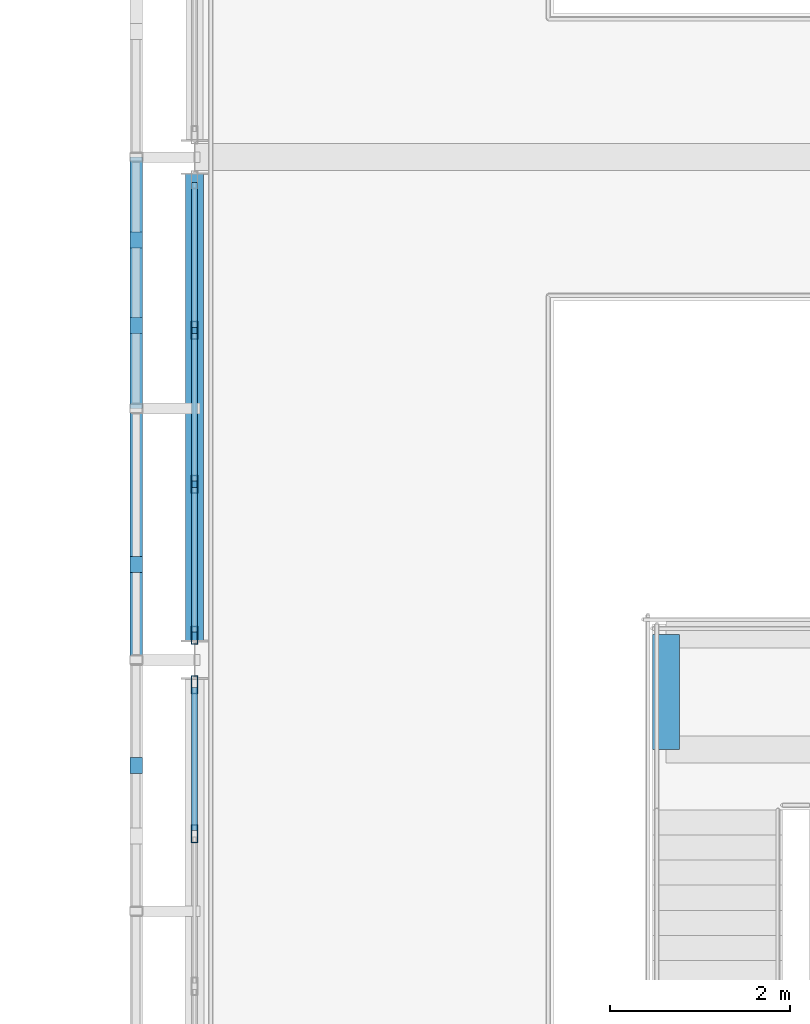
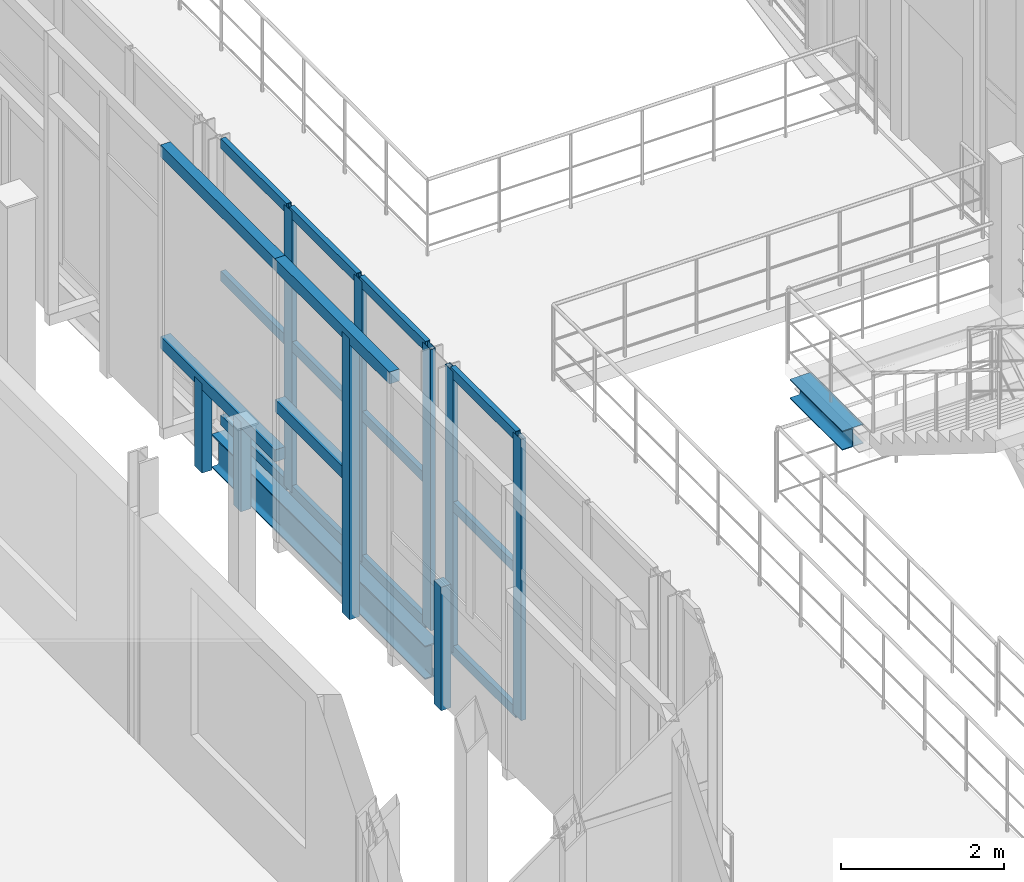
# One storey, part 35 of 138: 25 members, 2 beams, 2 elements without a shape of their own.
"""IFC4 building model written with IfcOpenShell, lengths in metres."""

from ifc_helpers import new_model, si_unit, direction, frame, origin, origin_2d, place, context, subcontext, project, spatial, rectangle, hollow_rectangle, i_section, extrude, material, layer, layer_set, material_profile, profile_set, type_object, element, aggregate, save


model = new_model("IFC4")

# Units and contexts
model_context = context("Model", 3, precision=1e-05, world=origin(), true_north=direction((0.0, 1.0)))
body_context = subcontext(model_context, "Body", "Model", "MODEL_VIEW")
ifc_project = project(units=[si_unit("LENGTHUNIT", "METRE"), si_unit("AREAUNIT", "SQUARE_METRE"), si_unit("VOLUMEUNIT", "CUBIC_METRE"), si_unit("PLANEANGLEUNIT", "RADIAN"), si_unit("MASSUNIT", "GRAM", prefix="KILO")], contexts=[model_context])

# Site, building, storey
site_placement = place(None, origin())
site = spatial("IfcSite", under=ifc_project, at=site_placement, CompositionType="ELEMENT")
building_placement = place(site_placement, origin())
building = spatial("IfcBuilding", under=site, at=building_placement, Name="Vinh Khe Railworks Police Headquarters", CompositionType="ELEMENT")
storey_placement = place(building_placement, frame((0.0, 0.0, 9.0)))
storey = spatial("IfcBuildingStorey", under=building, at=storey_placement, Name="L02", CompositionType="ELEMENT", Elevation=9.0)

# Beam
ifc_material_1 = material(Name="Steel S355JR", Category="steel")
ifc_material_profile_1 = material_profile(ifc_material_1, i_section(OverallWidth=0.300048828125, OverallDepth=0.2900390625, WebThickness=0.008544921875, FlangeThickness=0.013916015625, FilletRadius=0.027099609375, at=origin_2d()), Name="HEA 300")
ifc_profile_set_1 = profile_set([ifc_material_profile_1], Name="Steel S355JR")
beam_type_1 = type_object("IfcBeamType", Name="Feature Stair Trimmer HEA 300", PredefinedType="BEAM", material=ifc_profile_set_1)
beam_1_placement = place(storey_placement, frame((31.64990234375, 35.39990234375, 1.7548828125), z_axis=(0.0, 1.0, 0.0), x_axis=(-1.0, 0.0, 0.0)))
element("IfcBeam", 1, at=beam_1_placement, inside=storey, type_object=beam_type_1, Name="Feature Stair Landing Stringer Beam L02-1", PredefinedType="BEAM", context=body_context, shape_type="SweptSolid", body=[
    extrude(i_section(OverallWidth=0.300048828125, OverallDepth=0.2900390625, WebThickness=0.008544921875, FlangeThickness=0.013916015625, FilletRadius=0.027099609375, at=origin_2d()), origin(), (0.0, 0.0, 1.0), 1.280029296875),
])

# Members
ifc_material_2 = material(Name="Salvaged ironwood timber", Category="wood")
ifc_material_profile_2 = material_profile(ifc_material_2, rectangle(XDim=0.139892578125, YDim=0.179931640625, at=origin_2d()), Name="TIMBER 140x180")
ifc_profile_set_2 = profile_set([ifc_material_profile_2], Name="Salvaged ironwood timber")
member_type_1 = type_object("IfcMemberType", Name="MEM-QUILT-STILE", PredefinedType="CHORD", material=ifc_profile_set_2)
member_1_placement = place(storey_placement, frame((25.75, 35.22412109375, -0.080078125), z_axis=(0.0, 0.0, 1.0), x_axis=(1.0, 0.0, 0.0)))
element("IfcMember", 2, at=member_1_placement, inside=storey, type_object=member_type_1, Name="Salvaged Timber Quilt Stile W-L02-03-V1", PredefinedType="POST", context=body_context, shape_type="SweptSolid", body=[
    extrude(rectangle(XDim=0.139892578125, YDim=0.179931640625, at=origin_2d()), origin(), (0.0, 0.0, 1.0), 1.843994140625),
])
member_2_placement = place(storey_placement, frame((25.75, 36.39990234375, 4.1201171875), z_axis=(0.0, 1.0, 0.0), x_axis=(-1.0, 0.0, 0.0)))
element("IfcMember", 3, at=member_2_placement, inside=storey, type_object=member_type_1, Name="Salvaged Timber Quilt Transom W-L02-04-TOP", PredefinedType="CHORD", context=body_context, shape_type="SweptSolid", body=[
    extrude(rectangle(XDim=0.139892578125, YDim=0.179931640625, at=origin_2d()), origin(), (0.0, 0.0, 1.0), 2.800048828125),
])
member_3_placement = place(storey_placement, frame((25.75, 37.464111328125, -0.080078125), z_axis=(0.0, 0.0, 1.0), x_axis=(1.0, 0.0, 0.0)))
element("IfcMember", 4, at=member_3_placement, inside=storey, type_object=member_type_1, Name="Salvaged Timber Quilt Stile W-L02-04-V1", PredefinedType="POST", context=body_context, shape_type="SweptSolid", body=[
    extrude(rectangle(XDim=0.139892578125, YDim=0.179931640625, at=origin_2d()), origin(), (0.0, 0.0, 1.0), 4.2001953125),
])
member_4_placement = place(storey_placement, frame((25.75, 37.464111328125, 2.01611328125), z_axis=(0.0, 1.0, 0.0), x_axis=(-1.0, 0.0, 0.0)))
element("IfcMember", 5, at=member_4_placement, inside=storey, type_object=member_type_1, Name="Salvaged Timber Quilt Transom W-L02-04-M1", PredefinedType="CHORD", context=body_context, shape_type="SweptSolid", body=[
    extrude(rectangle(XDim=0.139892578125, YDim=0.179931640625, at=origin_2d()), origin(), (0.0, 0.0, 1.0), 1.73583984375),
])
for number, where, z_axis, x_axis, name in (
    (6, (25.75, 39.199951171875, 4.1201171875), (0.0, 1.0, 0.0), (-1.0, 0.0, 0.0), "Salvaged Timber Quilt Transom W-L02-05-TOP"),
    (7, (25.75, 39.199951171875, 1.260009765625), (0.0, 1.0, 0.0), (-1.0, 0.0, 0.0), "Salvaged Timber Quilt Transom W-L02-05-M1"),
):
    element("IfcMember", number, at=place(storey_placement, frame(where, z_axis=z_axis, x_axis=x_axis)), inside=storey, type_object=member_type_1, Name=name, PredefinedType="CHORD", context=body_context, shape_type="SweptSolid", body=[
        extrude(rectangle(XDim=0.139892578125, YDim=0.179931640625, at=origin_2d()), origin(), (0.0, 0.0, 1.0), 2.800048828125),
    ])
for number, where, z_axis, x_axis, name in (
    (8, (25.75, 40.1240234375, -0.080078125), (0.0, 0.0, 1.0), (1.0, 0.0, 0.0), "Salvaged Timber Quilt Stile W-L02-05-V1"),
    (9, (25.75, 41.075927734375, -0.080078125), (0.0, 0.0, 1.0), (1.0, 0.0, 0.0), "Salvaged Timber Quilt Stile W-L02-05-V2"),
):
    element("IfcMember", number, at=place(storey_placement, frame(where, z_axis=z_axis, x_axis=x_axis)), inside=storey, type_object=member_type_1, Name=name, PredefinedType="POST", context=body_context, shape_type="SweptSolid", body=[
        extrude(rectangle(XDim=0.139892578125, YDim=0.179931640625, at=origin_2d()), origin(), (0.0, 0.0, 1.0), 1.340087890625),
    ])

# Curtain wall, members
ifc_material_3 = material(Name="Anodised aluminium and low-iron glass", Category="aluminium")
ifc_layer = layer(ifc_material_3, 0.179931640625)
ifc_layer_set = layer_set([ifc_layer], Name="Anodised aluminium and low-iron glass")
curtain_wall_type = type_object("IfcCurtainWallType", Name="CW-CUBE-UNIT", PredefinedType="USERDEFINED", material=ifc_layer_set)
curtain_wall_1_placement = place(storey_placement, origin())
curtain_wall_1 = element("IfcCurtainWall", 10, at=curtain_wall_1_placement, inside=storey, type_object=curtain_wall_type, Name="Entrance Hall Curtain Wall L02 W-2", ObjectType="UNITISED GLAZING", PredefinedType="USERDEFINED")
ifc_material_4 = material(Name="Anodised aluminium 6063-T6", Category="aluminium")
ifc_material_profile_3 = material_profile(ifc_material_4, hollow_rectangle(XDim=0.070068359375, YDim=0.199951171875, WallThickness=0.0048828125, at=origin_2d()), Name="CW-M 70x200x5")
ifc_profile_set_3 = profile_set([ifc_material_profile_3], Name="Anodised aluminium 6063-T6")
member_type_2 = type_object("IfcMemberType", Name="MULL-CWM-03", PredefinedType="MULLION", material=ifc_profile_set_3)
member_5_placement = place(storey_placement, frame((26.39990234375, 34.461669921875, 0.0), z_axis=(0.0, 0.0, 1.0), x_axis=(-1.0, 0.0, 0.0)))
member_5 = element("IfcMember", 11, at=member_5_placement, type_object=member_type_2, Name="CW-01 mullion 3", PredefinedType="MULLION", context=body_context, shape_type="SweptSolid", body=[
    extrude(hollow_rectangle(XDim=0.070068359375, YDim=0.199951171875, WallThickness=0.0048828125, at=origin_2d()), origin(), (0.0, 0.0, 1.0), 4.199951171875),
])
member_6_placement = place(storey_placement, frame((26.39990234375, 36.125, 0.0), z_axis=(0.0, 0.0, 1.0), x_axis=(-1.0, 0.0, 0.0)))
member_6 = element("IfcMember", 12, at=member_6_placement, type_object=member_type_2, Name="CW-01 mullion 4", PredefinedType="MULLION", context=body_context, shape_type="SweptSolid", body=[
    extrude(hollow_rectangle(XDim=0.070068359375, YDim=0.199951171875, WallThickness=0.0048828125, at=origin_2d()), origin(), (0.0, 0.0, 1.0), 4.199951171875),
])

curtain_wall_2_placement = place(storey_placement, origin())
curtain_wall_2 = element("IfcCurtainWall", 13, at=curtain_wall_2_placement, inside=storey, type_object=curtain_wall_type, Name="Entrance Hall Curtain Wall L02 W-3", ObjectType="UNITISED GLAZING", PredefinedType="USERDEFINED")
member_7_placement = place(storey_placement, frame((26.39990234375, 36.675048828125, 0.0), z_axis=(0.0, 0.0, 1.0), x_axis=(-1.0, 0.0, 0.0)))
member_7 = element("IfcMember", 14, at=member_7_placement, type_object=member_type_2, Name="CW-01 mullion 1", PredefinedType="MULLION", context=body_context, shape_type="SweptSolid", body=[
    extrude(hollow_rectangle(XDim=0.070068359375, YDim=0.199951171875, WallThickness=0.0048828125, at=origin_2d()), origin(), (0.0, 0.0, 1.0), 4.199951171875),
])
member_8_placement = place(storey_placement, frame((26.39990234375, 38.35498046875, 0.0), z_axis=(0.0, 0.0, 1.0), x_axis=(-1.0, 0.0, 0.0)))
member_8 = element("IfcMember", 15, at=member_8_placement, type_object=member_type_2, Name="CW-01 mullion 2", PredefinedType="MULLION", context=body_context, shape_type="SweptSolid", body=[
    extrude(hollow_rectangle(XDim=0.070068359375, YDim=0.199951171875, WallThickness=0.0048828125, at=origin_2d()), origin(), (0.0, 0.0, 1.0), 4.199951171875),
])
member_9_placement = place(storey_placement, frame((26.39990234375, 40.070068359375, 0.0), z_axis=(0.0, 0.0, 1.0), x_axis=(-1.0, 0.0, 0.0)))
member_9 = element("IfcMember", 16, at=member_9_placement, type_object=member_type_2, Name="CW-01 mullion 3", PredefinedType="MULLION", context=body_context, shape_type="SweptSolid", body=[
    extrude(hollow_rectangle(XDim=0.070068359375, YDim=0.199951171875, WallThickness=0.0048828125, at=origin_2d()), origin(), (0.0, 0.0, 1.0), 4.199951171875),
])

# Beam
ifc_material_profile_4 = material_profile(ifc_material_1, i_section(OverallWidth=0.199951171875, OverallDepth=0.5, WebThickness=0.01025390625, FlangeThickness=0.01611328125, FilletRadius=0.02099609375, at=origin_2d()), Name="IPE 500")
ifc_profile_set_4 = profile_set([ifc_material_profile_4], Name="Steel S355JR")
beam_type_2 = type_object("IfcBeamType", Name="Steel Girder IPE 500", PredefinedType="BEAM", material=ifc_profile_set_4)
beam_2_placement = place(storey_placement, frame((26.39990234375, 36.60009765625, -0.469970703125), z_axis=(0.0, 1.0, 0.0), x_axis=(-1.0, 0.0, 0.0)))
element("IfcBeam", 17, at=beam_2_placement, inside=storey, type_object=beam_type_2, Name="Girder BM-L02-NS-SB-19-0947", PredefinedType="BEAM", context=body_context, shape_type="SweptSolid", body=[
    extrude(i_section(OverallWidth=0.199951171875, OverallDepth=0.5, WebThickness=0.01025390625, FlangeThickness=0.01611328125, FilletRadius=0.02099609375, at=origin_2d()), origin(), (0.0, 0.0, 1.0), 5.224853515625),
])

# Member
ifc_material_profile_5 = material_profile(ifc_material_4, hollow_rectangle(XDim=0.070068359375, YDim=0.14990234375, WallThickness=0.0048828125, at=origin_2d()), Name="CW-T 70x150x5")
ifc_profile_set_5 = profile_set([ifc_material_profile_5], Name="Anodised aluminium 6063-T6")
member_type_3 = type_object("IfcMemberType", Name="TRAN-CWT-03", PredefinedType="USERDEFINED", material=ifc_profile_set_5)
member_10_placement = place(storey_placement, frame((26.39990234375, 34.49658203125, 0.034912109375), z_axis=(0.0, 1.0, 0.0), x_axis=(-1.0, 0.0, 0.0)))
member_10 = element("IfcMember", 18, at=member_10_placement, type_object=member_type_3, Name="CW-01 transom 3.1", ObjectType="TRANSOM", PredefinedType="USERDEFINED", context=body_context, shape_type="SweptSolid", body=[
    extrude(hollow_rectangle(XDim=0.070068359375, YDim=0.14990234375, WallThickness=0.0048828125, at=origin_2d()), origin(), (0.0, 0.0, 1.0), 1.593505859375),
])

member_11_placement = place(storey_placement, frame((26.39990234375, 34.49658203125, 2.18408203125), z_axis=(0.0, 1.0, 0.0), x_axis=(-1.0, 0.0, 0.0)))
member_11 = element("IfcMember", 19, at=member_11_placement, type_object=member_type_3, Name="CW-01 transom 3.2", ObjectType="TRANSOM", PredefinedType="USERDEFINED", context=body_context, shape_type="SweptSolid", body=[
    extrude(hollow_rectangle(XDim=0.070068359375, YDim=0.14990234375, WallThickness=0.0048828125, at=origin_2d()), origin(), (0.0, 0.0, 1.0), 1.593505859375),
])

member_12_placement = place(storey_placement, frame((26.39990234375, 34.49658203125, 4.1650390625), z_axis=(0.0, 1.0, 0.0), x_axis=(-1.0, 0.0, 0.0)))
member_12 = element("IfcMember", 20, at=member_12_placement, type_object=member_type_3, Name="CW-01 transom 3.3", ObjectType="TRANSOM", PredefinedType="USERDEFINED", context=body_context, shape_type="SweptSolid", body=[
    extrude(hollow_rectangle(XDim=0.070068359375, YDim=0.14990234375, WallThickness=0.0048828125, at=origin_2d()), origin(), (0.0, 0.0, 1.0), 1.593505859375),
])

aggregate(curtain_wall_1, [member_5, member_6, member_10, member_11, member_12])

member_13_placement = place(storey_placement, frame((26.39990234375, 36.7099609375, 0.034912109375), z_axis=(0.0, 1.0, 0.0), x_axis=(-1.0, 0.0, 0.0)))
member_13 = element("IfcMember", 21, at=member_13_placement, type_object=member_type_3, Name="CW-01 transom 1.1", ObjectType="TRANSOM", PredefinedType="USERDEFINED", context=body_context, shape_type="SweptSolid", body=[
    extrude(hollow_rectangle(XDim=0.070068359375, YDim=0.14990234375, WallThickness=0.0048828125, at=origin_2d()), origin(), (0.0, 0.0, 1.0), 1.610107421875),
])

member_14_placement = place(storey_placement, frame((26.39990234375, 36.7099609375, 2.18408203125), z_axis=(0.0, 1.0, 0.0), x_axis=(-1.0, 0.0, 0.0)))
member_14 = element("IfcMember", 22, at=member_14_placement, type_object=member_type_3, Name="CW-01 transom 1.2", ObjectType="TRANSOM", PredefinedType="USERDEFINED", context=body_context, shape_type="SweptSolid", body=[
    extrude(hollow_rectangle(XDim=0.070068359375, YDim=0.14990234375, WallThickness=0.0048828125, at=origin_2d()), origin(), (0.0, 0.0, 1.0), 1.610107421875),
])

member_15_placement = place(storey_placement, frame((26.39990234375, 36.7099609375, 4.1650390625), z_axis=(0.0, 1.0, 0.0), x_axis=(-1.0, 0.0, 0.0)))
member_15 = element("IfcMember", 23, at=member_15_placement, type_object=member_type_3, Name="CW-01 transom 1.3", ObjectType="TRANSOM", PredefinedType="USERDEFINED", context=body_context, shape_type="SweptSolid", body=[
    extrude(hollow_rectangle(XDim=0.070068359375, YDim=0.14990234375, WallThickness=0.0048828125, at=origin_2d()), origin(), (0.0, 0.0, 1.0), 1.610107421875),
])

member_16_placement = place(storey_placement, frame((26.39990234375, 38.389892578125, 0.034912109375), z_axis=(0.0, 1.0, 0.0), x_axis=(-1.0, 0.0, 0.0)))
member_16 = element("IfcMember", 24, at=member_16_placement, type_object=member_type_3, Name="CW-01 transom 2.1", ObjectType="TRANSOM", PredefinedType="USERDEFINED", context=body_context, shape_type="SweptSolid", body=[
    extrude(hollow_rectangle(XDim=0.070068359375, YDim=0.14990234375, WallThickness=0.0048828125, at=origin_2d()), origin(), (0.0, 0.0, 1.0), 1.64501953125),
])

member_17_placement = place(storey_placement, frame((26.39990234375, 38.389892578125, 2.18408203125), z_axis=(0.0, 1.0, 0.0), x_axis=(-1.0, 0.0, 0.0)))
member_17 = element("IfcMember", 25, at=member_17_placement, type_object=member_type_3, Name="CW-01 transom 2.2", ObjectType="TRANSOM", PredefinedType="USERDEFINED", context=body_context, shape_type="SweptSolid", body=[
    extrude(hollow_rectangle(XDim=0.070068359375, YDim=0.14990234375, WallThickness=0.0048828125, at=origin_2d()), origin(), (0.0, 0.0, 1.0), 1.64501953125),
])

member_18_placement = place(storey_placement, frame((26.39990234375, 38.389892578125, 4.1650390625), z_axis=(0.0, 1.0, 0.0), x_axis=(-1.0, 0.0, 0.0)))
member_18 = element("IfcMember", 26, at=member_18_placement, type_object=member_type_3, Name="CW-01 transom 2.3", ObjectType="TRANSOM", PredefinedType="USERDEFINED", context=body_context, shape_type="SweptSolid", body=[
    extrude(hollow_rectangle(XDim=0.070068359375, YDim=0.14990234375, WallThickness=0.0048828125, at=origin_2d()), origin(), (0.0, 0.0, 1.0), 1.64501953125),
])

member_19_placement = place(storey_placement, frame((26.39990234375, 40.10498046875, 0.034912109375), z_axis=(0.0, 1.0, 0.0), x_axis=(-1.0, 0.0, 0.0)))
member_19 = element("IfcMember", 27, at=member_19_placement, type_object=member_type_3, Name="CW-01 transom 3.1", ObjectType="TRANSOM", PredefinedType="USERDEFINED", context=body_context, shape_type="SweptSolid", body=[
    extrude(hollow_rectangle(XDim=0.070068359375, YDim=0.14990234375, WallThickness=0.0048828125, at=origin_2d()), origin(), (0.0, 0.0, 1.0), 1.610107421875),
])

member_20_placement = place(storey_placement, frame((26.39990234375, 40.10498046875, 2.18408203125), z_axis=(0.0, 1.0, 0.0), x_axis=(-1.0, 0.0, 0.0)))
member_20 = element("IfcMember", 28, at=member_20_placement, type_object=member_type_3, Name="CW-01 transom 3.2", ObjectType="TRANSOM", PredefinedType="USERDEFINED", context=body_context, shape_type="SweptSolid", body=[
    extrude(hollow_rectangle(XDim=0.070068359375, YDim=0.14990234375, WallThickness=0.0048828125, at=origin_2d()), origin(), (0.0, 0.0, 1.0), 1.610107421875),
])

member_21_placement = place(storey_placement, frame((26.39990234375, 40.10498046875, 4.1650390625), z_axis=(0.0, 1.0, 0.0), x_axis=(-1.0, 0.0, 0.0)))
member_21 = element("IfcMember", 29, at=member_21_placement, type_object=member_type_3, Name="CW-01 transom 3.3", ObjectType="TRANSOM", PredefinedType="USERDEFINED", context=body_context, shape_type="SweptSolid", body=[
    extrude(hollow_rectangle(XDim=0.070068359375, YDim=0.14990234375, WallThickness=0.0048828125, at=origin_2d()), origin(), (0.0, 0.0, 1.0), 1.610107421875),
])

aggregate(curtain_wall_2, [member_7, member_8, member_9, member_13, member_14, member_15, member_16, member_17, member_18, member_19, member_20, member_21])

save(model, "model.ifc")
